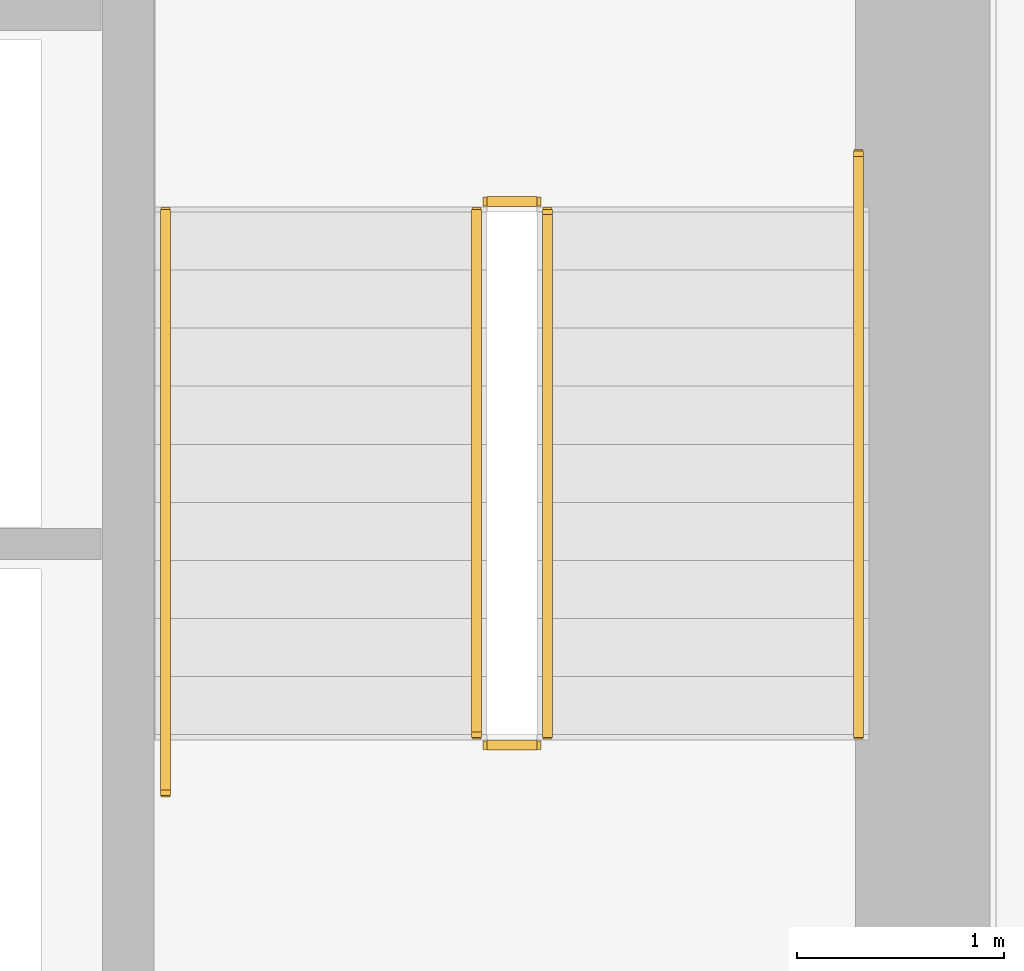
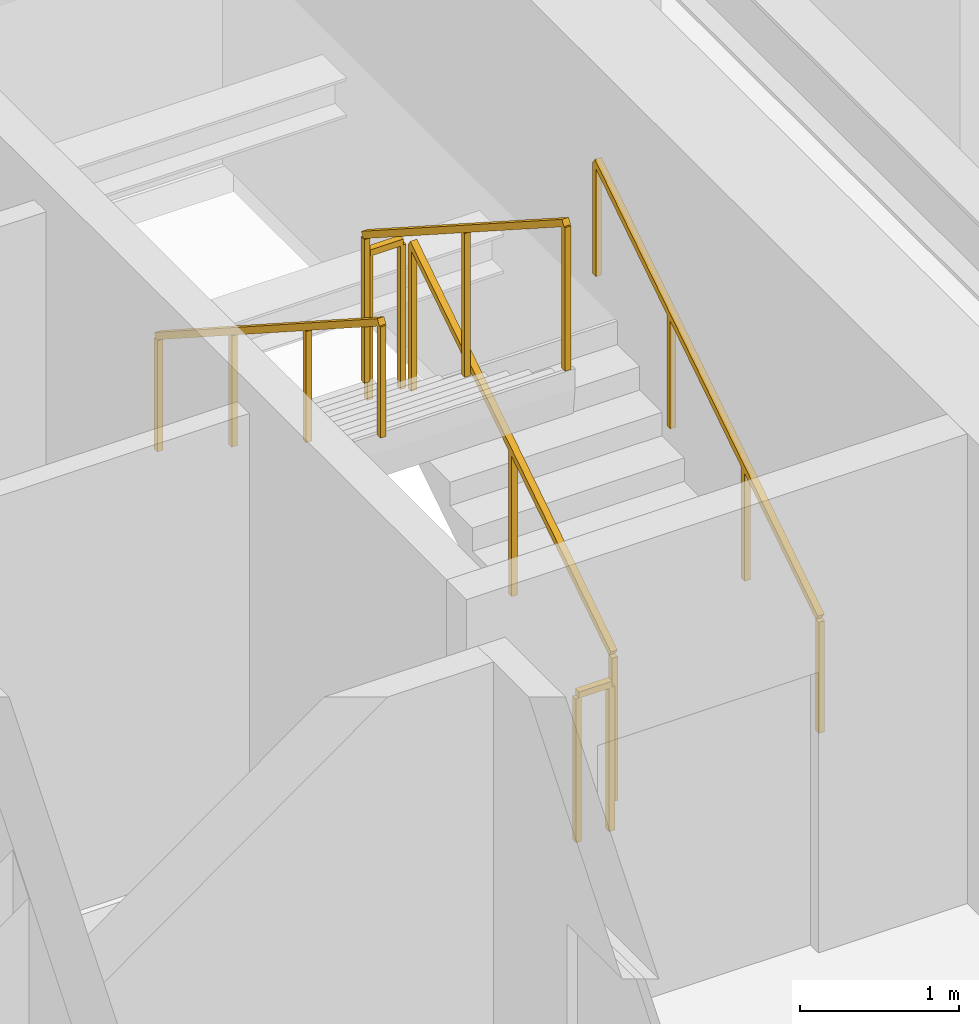
# One storey, part 26 of 27: 6 railings.
"""IFC4 building model written with IfcOpenShell, lengths in metres."""

import ifcopenshell
import ifcopenshell.guid

model = None  # the IFC model being written
_history = None  # IfcOwnerHistory: only IFC2X3 demands one
_inside = {}  # id of a spatial element -> (the spatial element, [elements in it])
_under = {}  # id of a project, library or spatial element -> (it, [spatial elements below it])
_declared = {}  # id of a project -> (the project, [libraries it declares])
_typed = {}  # id of a type object -> (the type object, [elements of that type])
_made_of = {}  # id of a material, layer set ... -> (it, [elements and type objects made of it])


def new_model(schema):
    """Start an empty IFC model of exactly this schema.

    Asked for "IFC4X3", IfcOpenShell would pick the latest addendum, in which some entities
    have other attributes; the version numbers below select the first issue.
    IFC2X3 requires an IfcOwnerHistory on every rooted entity: one is made here for all.
    """
    global model, _history
    if schema == "IFC4X3":
        model = ifcopenshell.file(schema_version=(4, 3, 0, 0))
    else:
        model = ifcopenshell.file(schema=schema)
    _inside.clear()
    _under.clear()
    _declared.clear()
    _typed.clear()
    _made_of.clear()
    _history = None
    if model.schema == "IFC2X3":
        org = make("IfcOrganization", Name="unknown")
        user = make(
            "IfcPersonAndOrganization",
            ThePerson=make("IfcPerson", FamilyName="unknown"),
            TheOrganization=org,
        )
        app = make(
            "IfcApplication",
            ApplicationDeveloper=org,
            Version="unknown",
            ApplicationFullName="unknown",
            ApplicationIdentifier="unknown",
        )
        _history = make(
            "IfcOwnerHistory",
            OwningUser=user,
            OwningApplication=app,
            ChangeAction="ADDED",
            CreationDate=0,
        )
    return model


def make(cls, **values):
    """One entity of the class cls with the attributes given. An attribute that is None is left unset."""
    return model.create_entity(
        cls, **{name: value for name, value in values.items() if value is not None}
    )


def rooted(cls, **values):
    """An entity with a GlobalId (a new one), such as an element, a storey or a relation."""
    return make(cls, GlobalId=ifcopenshell.guid.new(), OwnerHistory=_history, **values)


def si_unit(unit_type, name, prefix=None):
    """IfcSIUnit, for example si_unit("LENGTHUNIT", "METRE", prefix="MILLI")."""
    return make("IfcSIUnit", UnitType=unit_type, Prefix=prefix, Name=name)


def assignment(units):
    """IfcUnitAssignment: the units of a project."""
    return None if units is None else make("IfcUnitAssignment", Units=units)


def point(xyz):
    """IfcCartesianPoint."""
    return None if xyz is None else make("IfcCartesianPoint", Coordinates=xyz)


def direction(xyz):
    """IfcDirection."""
    return None if xyz is None else make("IfcDirection", DirectionRatios=xyz)


def frame(location, z_axis=None, x_axis=None):
    """IfcAxis2Placement3D, a coordinate frame: its origin and axes. An axis left out is left unset."""
    return make(
        "IfcAxis2Placement3D",
        Location=point(location),
        Axis=direction(z_axis),
        RefDirection=direction(x_axis),
    )


def frame_2d(location, x_axis=None):
    """IfcAxis2Placement2D, a coordinate frame in the plane: its origin and x axis."""
    return make(
        "IfcAxis2Placement2D", Location=point(location), RefDirection=direction(x_axis)
    )


def origin():
    """The frame at (0, 0, 0) with its axes left unset."""
    return frame((0.0, 0.0, 0.0))


def origin_2d():
    """The frame at (0, 0) in the plane with its x axis left unset."""
    return frame_2d((0.0, 0.0))


def place(relative_to, where):
    """IfcLocalPlacement: puts the frame where relative to a parent placement (None: the world)."""
    return make(
        "IfcLocalPlacement", PlacementRelTo=relative_to, RelativePlacement=where
    )


def context(
    kind, dimensions, precision=None, world=None, true_north=None, identifier=None
):
    """IfcGeometricRepresentationContext, for example the 3D "Model" context."""
    return make(
        "IfcGeometricRepresentationContext",
        ContextIdentifier=identifier,
        ContextType=kind,
        CoordinateSpaceDimension=dimensions,
        Precision=precision,
        WorldCoordinateSystem=world,
        TrueNorth=true_north,
    )


def subcontext(parent, identifier, kind, view, scale=None):
    """IfcGeometricRepresentationSubContext, for example "Body" below "Model"."""
    return make(
        "IfcGeometricRepresentationSubContext",
        ContextIdentifier=identifier,
        ContextType=kind,
        ParentContext=parent,
        TargetScale=scale,
        TargetView=view,
    )


def project(units=None, contexts=None):
    """IfcProject with its units and contexts."""
    return rooted(
        "IfcProject",
        Name="project",
        RepresentationContexts=contexts,
        UnitsInContext=assignment(units),
    )


def spatial(cls, under=None, at=None, **own):
    """A site, building, storey or space (cls), placed at a placement, below another one or the project."""
    s = rooted(cls, ObjectPlacement=at, **own)
    if under is not None:
        _under.setdefault(under.id(), (under, []))[1].append(s)
    return s


def profile(cls, at=None, kind="AREA", **sizes):
    """A parametric profile (cls). Its sizes go by their IFC names, for example OverallWidth=200.0."""
    return make(cls, ProfileType=kind, Position=at, **sizes)


def rectangle(**sizes):
    """IfcRectangleProfileDef."""
    return profile("IfcRectangleProfileDef", **sizes)


def extrude(swept, where, along, depth):
    """IfcExtrudedAreaSolid: the profile swept, set in the frame where, extruded along a direction by depth."""
    return make(
        "IfcExtrudedAreaSolid",
        SweptArea=swept,
        Position=where,
        ExtrudedDirection=direction(along),
        Depth=depth,
    )


def shape(context_of_items, identifier, shape_type, items):
    """IfcShapeRepresentation: the items that make up one representation, for example the "Body"."""
    return make(
        "IfcShapeRepresentation",
        ContextOfItems=context_of_items,
        RepresentationIdentifier=identifier,
        RepresentationType=shape_type,
        Items=items,
    )


def material(Name=None, Category=None):
    """IfcMaterial."""
    return make("IfcMaterial", Name=Name, Category=Category)


def made_of(thing, what):
    """Note that an element or type object is made of a material, layer set ...; save() writes the relation."""
    if what is not None:
        _made_of.setdefault(what.id(), (what, []))[1].append(thing)
    return thing


def type_object(cls, material=None, **own):
    """A type object (cls), such as IfcWallType, which elements share."""
    return made_of(rooted(cls, **own), material)


def element(
    cls,
    number,
    at=None,
    inside=None,
    cuts=None,
    type_object=None,
    material=None,
    context=None,
    identifier="Body",
    shape_type=None,
    held_by="IfcProductDefinitionShape",
    body=None,
    shapes=None,
    **own,
):
    """One element of the class cls, such as IfcWall. Its Tag is "e" and its number.

    at: its placement. inside: the storey or other place that contains it. cuts: it is an
    opening in that element (IfcRelVoidsElement). A single representation is given by context,
    identifier, shape_type and body (its items); several are given by shapes. held_by: the class
    of the entity that holds the representations. save() writes the other relations.
    """
    e = rooted(cls, Tag="e%d" % number, ObjectPlacement=at, **own)
    if body is not None:
        shapes = [shape(context, identifier, shape_type, body)]
    if shapes is not None:
        e.Representation = make(held_by, Representations=shapes)
    if inside is not None:
        _inside.setdefault(inside.id(), (inside, []))[1].append(e)
    if cuts is not None:
        rooted(
            "IfcRelVoidsElement", RelatingBuildingElement=cuts, RelatedOpeningElement=e
        )
    if type_object is not None:
        _typed.setdefault(type_object.id(), (type_object, []))[1].append(e)
    return made_of(e, material)


def aggregate(whole, parts):
    """IfcRelAggregates: a whole, such as a stair, and the parts it consists of."""
    return rooted("IfcRelAggregates", RelatingObject=whole, RelatedObjects=parts)


def save(model, path):
    """Write the relations noted so far, then the file.

    IfcRelAggregates (storeys below a building ...), IfcRelContainedInSpatialStructure (elements
    in a storey), IfcRelDefinesByType, IfcRelAssociatesMaterial and IfcRelDeclares: one each for
    every whole, place, type object, material and project.
    """
    for whole, parts in _under.values():
        aggregate(whole, parts)
    for where, things in _inside.values():
        rooted(
            "IfcRelContainedInSpatialStructure",
            RelatedElements=things,
            RelatingStructure=where,
        )
    for kind, things in _typed.values():
        rooted("IfcRelDefinesByType", RelatedObjects=things, RelatingType=kind)
    for what, things in _made_of.values():
        rooted("IfcRelAssociatesMaterial", RelatedObjects=things, RelatingMaterial=what)
    for by, libraries in _declared.values():
        rooted("IfcRelDeclares", RelatingContext=by, RelatedDefinitions=libraries)
    model.write(path)


model = new_model("IFC4")

# Units and contexts
model_context = context("Model", 3, precision=1e-05, world=origin(), true_north=direction((0.0, 1.0)))
body_context = subcontext(model_context, "Body", "Model", "MODEL_VIEW")
ifc_project = project(units=[si_unit("LENGTHUNIT", "METRE"), si_unit("AREAUNIT", "SQUARE_METRE"), si_unit("VOLUMEUNIT", "CUBIC_METRE"), si_unit("PLANEANGLEUNIT", "RADIAN"), si_unit("MASSUNIT", "GRAM", prefix="KILO")], contexts=[model_context])

# Site, building, storey
site_placement = place(None, origin())
site = spatial("IfcSite", under=ifc_project, at=site_placement, CompositionType="ELEMENT")
building_placement = place(site_placement, origin())
building = spatial("IfcBuilding", under=site, at=building_placement, Name="Sumidabori Civic Tower", CompositionType="ELEMENT")
storey_placement = place(building_placement, frame((0.0, 0.0, 164.0)))
storey = spatial("IfcBuildingStorey", under=building, at=storey_placement, Name="L42", CompositionType="ELEMENT", Elevation=164.0)

# Railings
ifc_material_1 = material(Name="Stainless Steel Hairline Finish", Category="steel")
railing_type_1 = type_object("IfcRailingType", Name="RL-HANDRAIL", PredefinedType="HANDRAIL", material=ifc_material_1)
railing_1_placement = place(storey_placement, frame((15.2900390625, 16.0, 0.179931640625)))
element("IfcRailing", 1, at=railing_1_placement, inside=storey, type_object=railing_type_1, Name="L42 ST-2 stair handrail 1", PredefinedType="HANDRAIL", context=body_context, shape_type="SweptSolid", body=[
    extrude(rectangle(XDim=0.048095703125, YDim=0.048095703125, at=origin_2d()), frame((0.0, 0.0, 0.8759765625), z_axis=(0.0, 0.84064222762, 0.54159084662), x_axis=(-1.0, 0.0, 0.0)), (0.0, 0.0, 1.0), 3.330810546875),
    extrude(rectangle(XDim=0.0419921875, YDim=0.0419921875, at=origin_2d()), origin(), (0.0, 0.0, 1.0), 0.851806640625),
    extrude(rectangle(XDim=0.0419921875, YDim=0.0419921875, at=origin_2d()), frame((0.0, 0.933349609375, 0.601318359375)), (0.0, 0.0, 1.0), 0.851806640625),
    extrude(rectangle(XDim=0.0419921875, YDim=0.0419921875, at=origin_2d()), frame((0.0, 1.86669921875, 1.20263671875)), (0.0, 0.0, 1.0), 0.851806640625),
    extrude(rectangle(XDim=0.0419921875, YDim=0.0419921875, at=origin_2d()), frame((0.0, 2.800048828125, 1.803955078125)), (0.0, 0.0, 1.0), 0.851806640625),
])
railing_2_placement = place(storey_placement, frame((11.949951171875, 18.52001953125, 1.97998046875)))
element("IfcRailing", 2, at=railing_2_placement, inside=storey, type_object=railing_type_1, Name="L42 ST-2 stair handrail 2", PredefinedType="HANDRAIL", context=body_context, shape_type="SweptSolid", body=[
    extrude(rectangle(XDim=0.048095703125, YDim=0.048095703125, at=origin_2d()), frame((0.0, 0.0, 0.8759765625), z_axis=(0.0, -0.840675598268, 0.541539046124), x_axis=(1.0, 0.0, 0.0)), (0.0, 0.0, 1.0), 3.330810546875),
    extrude(rectangle(XDim=0.0419921875, YDim=0.0419921875, at=origin_2d()), origin(), (0.0, 0.0, 1.0), 0.851806640625),
    extrude(rectangle(XDim=0.0419921875, YDim=0.0419921875, at=origin_2d()), frame((0.0, -0.933349609375, 0.601318359375)), (0.0, 0.0, 1.0), 0.851806640625),
    extrude(rectangle(XDim=0.0419921875, YDim=0.0419921875, at=origin_2d()), frame((0.0, -1.86669921875, 1.202392578125)), (0.0, 0.0, 1.0), 0.851806640625),
    extrude(rectangle(XDim=0.0419921875, YDim=0.0419921875, at=origin_2d()), frame((0.0, -2.800048828125, 1.8037109375)), (0.0, 0.0, 1.0), 0.851806640625),
])
ifc_material_2 = material(Name="Steel SN490", Category="steel")
railing_type_2 = type_object("IfcRailingType", Name="RL-STAIR-GUARD", PredefinedType="GUARDRAIL", material=ifc_material_2)
railing_3_placement = place(storey_placement, frame((13.7900390625, 16.0, 0.179931640625)))
element("IfcRailing", 3, at=railing_3_placement, inside=storey, type_object=railing_type_2, Name="L42 ST-2 stair guard 1", PredefinedType="GUARDRAIL", context=body_context, shape_type="SweptSolid", body=[
    extrude(rectangle(XDim=0.048095703125, YDim=0.048095703125, at=origin_2d()), frame((0.0, 0.0, 1.1259765625), z_axis=(0.0, 0.841162588446, 0.540782303519), x_axis=(-1.0, 0.0, 0.0)), (0.0, 0.0, 1.0), 2.995849609375),
    extrude(rectangle(XDim=0.0419921875, YDim=0.0419921875, at=origin_2d()), origin(), (0.0, 0.0, 1.0), 1.101806640625),
    extrude(rectangle(XDim=0.0419921875, YDim=0.0419921875, at=origin_2d()), frame((0.0, 1.260009765625, 0.81005859375)), (0.0, 0.0, 1.0), 1.101806640625),
    extrude(rectangle(XDim=0.0419921875, YDim=0.0419921875, at=origin_2d()), frame((0.0, 2.52001953125, 1.6201171875)), (0.0, 0.0, 1.0), 1.101806640625),
])
railing_4_placement = place(storey_placement, frame((13.739990234375, 18.570068359375, 1.800048828125)))
element("IfcRailing", 4, at=railing_4_placement, inside=storey, type_object=railing_type_2, Name="L42 ST-2 stair guard 2", PredefinedType="GUARDRAIL", context=body_context, shape_type="SweptSolid", body=[
    extrude(rectangle(XDim=0.048095703125, YDim=0.048095703125, at=origin_2d()), frame((0.0, 0.0, 1.1259765625), z_axis=(-1.0, 0.0, 0.0), x_axis=(0.0, -1.0, 0.0)), (0.0, 0.0, 1.0), 0.239990234375),
    extrude(rectangle(XDim=0.0419921875, YDim=0.0419921875, at=origin_2d()), origin(), (0.0, 0.0, 1.0), 1.101806640625),
    extrude(rectangle(XDim=0.0419921875, YDim=0.0419921875, at=origin_2d()), frame((-0.239990234375, 0.0, 0.0)), (0.0, 0.0, 1.0), 1.101806640625),
])
railing_5_placement = place(storey_placement, frame((13.449951171875, 18.52001953125, 1.97998046875)))
element("IfcRailing", 5, at=railing_5_placement, inside=storey, type_object=railing_type_2, Name="L42 ST-2 stair guard 3", PredefinedType="GUARDRAIL", context=body_context, shape_type="SweptSolid", body=[
    extrude(rectangle(XDim=0.048095703125, YDim=0.048095703125, at=origin_2d()), frame((0.0, 0.0, 1.1259765625), z_axis=(0.0, -0.841162588446, 0.540782303519), x_axis=(1.0, 0.0, 0.0)), (0.0, 0.0, 1.0), 2.995849609375),
    extrude(rectangle(XDim=0.0419921875, YDim=0.0419921875, at=origin_2d()), origin(), (0.0, 0.0, 1.0), 1.101806640625),
    extrude(rectangle(XDim=0.0419921875, YDim=0.0419921875, at=origin_2d()), frame((0.0, -1.260009765625, 0.81005859375)), (0.0, 0.0, 1.0), 1.101806640625),
    extrude(rectangle(XDim=0.0419921875, YDim=0.0419921875, at=origin_2d()), frame((0.0, -2.52001953125, 1.6201171875)), (0.0, 0.0, 1.0), 1.101806640625),
])
railing_6_placement = place(storey_placement, frame((13.739990234375, 15.949951171875, 0.0)))
element("IfcRailing", 6, at=railing_6_placement, inside=storey, type_object=railing_type_2, Name="L42 ST-2 stair guard 4", PredefinedType="GUARDRAIL", context=body_context, shape_type="SweptSolid", body=[
    extrude(rectangle(XDim=0.048095703125, YDim=0.048095703125, at=origin_2d()), frame((0.0, 0.0, 1.1259765625), z_axis=(-1.0, 0.0, 0.0), x_axis=(0.0, -1.0, 0.0)), (0.0, 0.0, 1.0), 0.239990234375),
    extrude(rectangle(XDim=0.0419921875, YDim=0.0419921875, at=origin_2d()), origin(), (0.0, 0.0, 1.0), 1.101806640625),
    extrude(rectangle(XDim=0.0419921875, YDim=0.0419921875, at=origin_2d()), frame((-0.239990234375, 0.0, 0.0)), (0.0, 0.0, 1.0), 1.101806640625),
])

save(model, "model.ifc")
